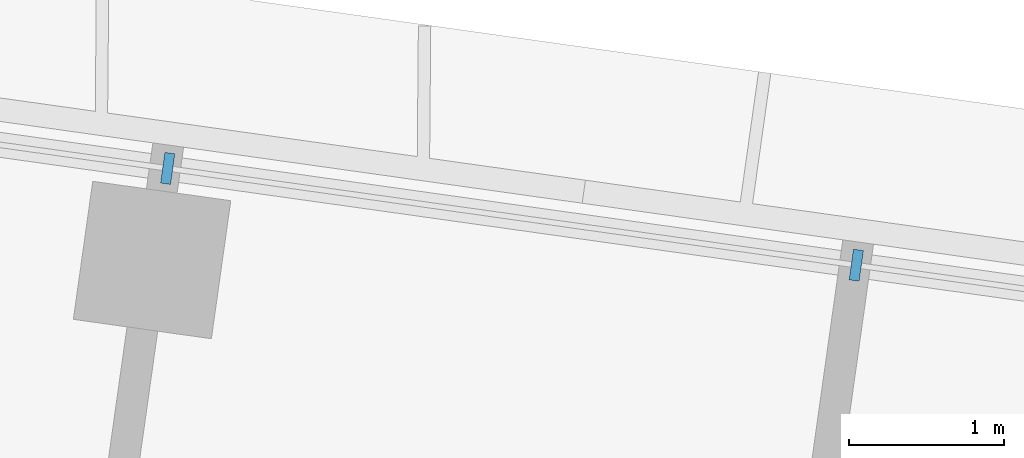
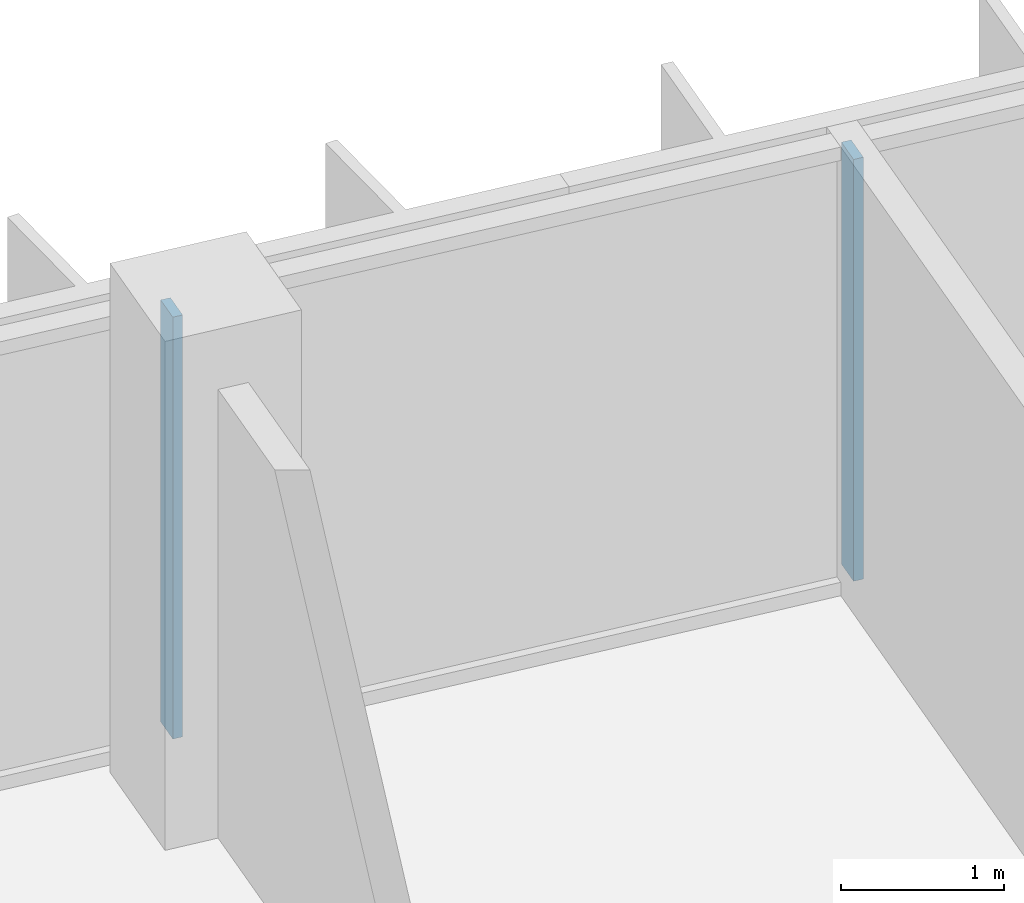
# One storey, part 3 of 25: 2 members, 1 element without a shape of its own.
"""IFC4 building model written with IfcOpenShell, lengths in metres."""

from ifc_helpers import new_model, si_unit, direction, frame, origin, origin_2d, place, context, subcontext, project, spatial, rectangle, extrude, material, material_profile, profile_set, type_object, element, aggregate, save


model = new_model("IFC4")

# Units and contexts
model_context = context("Model", 3, precision=1e-05, world=origin(), true_north=direction((0.0, 1.0)))
body_context = subcontext(model_context, "Body", "Model", "MODEL_VIEW")
ifc_project = project(units=[si_unit("LENGTHUNIT", "METRE"), si_unit("AREAUNIT", "SQUARE_METRE"), si_unit("VOLUMEUNIT", "CUBIC_METRE"), si_unit("PLANEANGLEUNIT", "RADIAN"), si_unit("MASSUNIT", "GRAM", prefix="KILO")], contexts=[model_context])

# Site, building, storey
site_placement = place(None, origin())
site = spatial("IfcSite", under=ifc_project, at=site_placement, CompositionType="ELEMENT")
building_placement = place(site_placement, origin())
building = spatial("IfcBuilding", under=site, at=building_placement, Name="Mirante Cascada Hotel Towers", CompositionType="ELEMENT")
storey_placement = place(building_placement, frame((0.0, 0.0, 129.1)))
storey = spatial("IfcBuildingStorey", under=building, at=storey_placement, Name="L29", CompositionType="ELEMENT", Elevation=129.1)

# Curtain wall, members
ifc_material_1 = material(Name="Aluminium mullion and transom frame with clear laminated glass", Category="aluminium")
curtain_wall_type = type_object("IfcCurtainWallType", Name="Ribbon curtain wall ECW1", PredefinedType="NOTDEFINED", material=ifc_material_1)
curtain_wall_placement = place(storey_placement, origin())
curtain_wall = element("IfcCurtainWall", 1, at=curtain_wall_placement, inside=storey, type_object=curtain_wall_type, Name="Front ribbon wall T1 L29", PredefinedType="NOTDEFINED")
ifc_material_2 = material(Name="Anodised aluminium extrusion", Category="aluminium")
ifc_material_profile = material_profile(ifc_material_2, rectangle(XDim=0.2, YDim=0.065, at=origin_2d()), Name="ECW1 MULLION 65x200")
ifc_profile_set = profile_set([ifc_material_profile], Name="Anodised aluminium extrusion")
member_type = type_object("IfcMemberType", Name="ECW1 mullion 65x200", PredefinedType="MULLION", material=ifc_profile_set)
member_1_placement = place(storey_placement, frame((-71.9211, 22.9269, 0.1), z_axis=(0.0, 0.0, 1.0), x_axis=(0.1391731, 0.9902681, 0.0)))
member_1 = element("IfcMember", 2, at=member_1_placement, type_object=member_type, Name="ECW1 mullion 6", PredefinedType="MULLION", context=body_context, shape_type="SweptSolid", body=[
    extrude(rectangle(XDim=0.2, YDim=0.065, at=origin_2d()), origin(), (0.0, 0.0, 1.0), 3.15),
])
member_2_placement = place(storey_placement, frame((-67.4737, 22.3018, 0.1), z_axis=(0.0, 0.0, 1.0), x_axis=(0.1391731, 0.9902681, 0.0)))
member_2 = element("IfcMember", 3, at=member_2_placement, type_object=member_type, Name="ECW1 mullion 7", PredefinedType="MULLION", context=body_context, shape_type="SweptSolid", body=[
    extrude(rectangle(XDim=0.2, YDim=0.065, at=origin_2d()), origin(), (0.0, 0.0, 1.0), 3.15),
])
aggregate(curtain_wall, [member_1, member_2])

save(model, "model.ifc")
